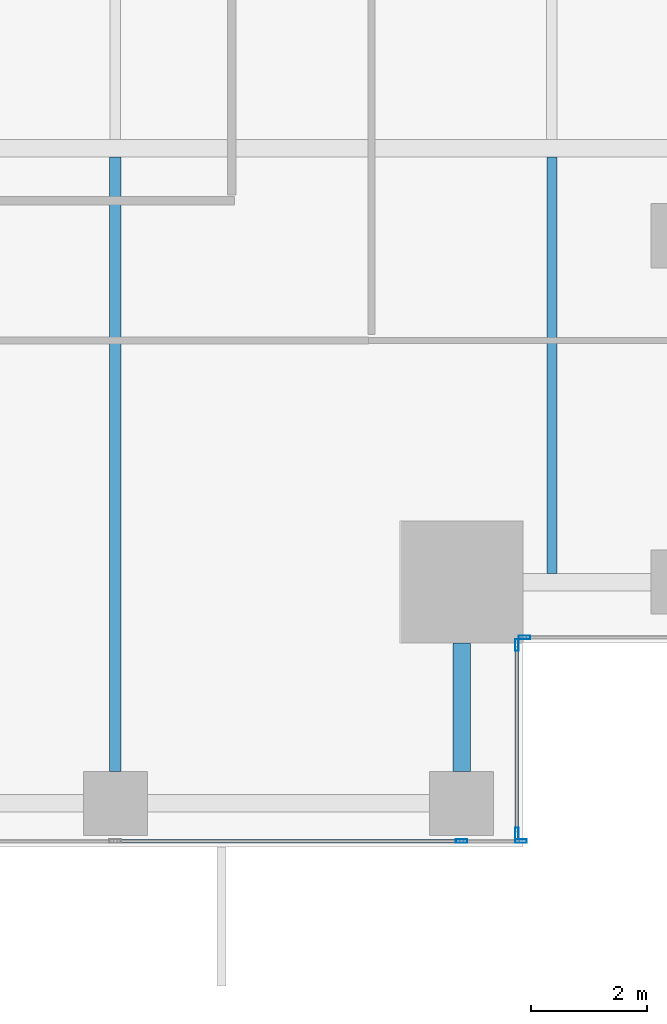
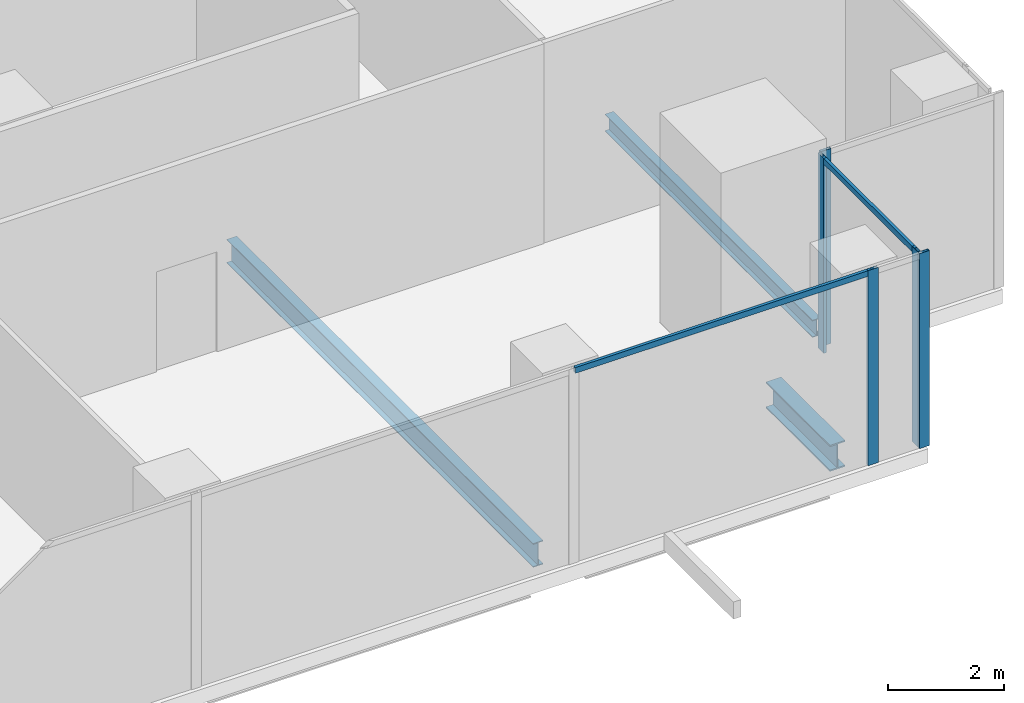
# One storey, part 10 of 35: 7 members, 3 beams, 3 elements without a shape of their own.
"""IFC4 building model written with IfcOpenShell, lengths in metres."""

from ifc_helpers import new_model, si_unit, direction, frame, origin, origin_2d, place, context, subcontext, project, spatial, hollow_rectangle, i_section, extrude, source, transform, mapped, material, material_profile, profile_set, type_object, element, aggregate, save


model = new_model("IFC4")

# Units and contexts
model_context = context("Model", 3, precision=1e-05, world=origin(), true_north=direction((0.0, 1.0)))
body_context = subcontext(model_context, "Body", "Model", "MODEL_VIEW")
ifc_project = project(units=[si_unit("LENGTHUNIT", "METRE"), si_unit("AREAUNIT", "SQUARE_METRE"), si_unit("VOLUMEUNIT", "CUBIC_METRE"), si_unit("PLANEANGLEUNIT", "RADIAN"), si_unit("MASSUNIT", "GRAM", prefix="KILO")], contexts=[model_context])

# Site, building, storey
site_placement = place(None, origin())
site = spatial("IfcSite", under=ifc_project, at=site_placement, CompositionType="ELEMENT")
building_placement = place(site_placement, origin())
building = spatial("IfcBuilding", under=site, at=building_placement, Name="Khomas Fold Tower", CompositionType="ELEMENT")
storey_placement = place(building_placement, frame((0.0, 0.0, 132.300048828125)))
storey = spatial("IfcBuildingStorey", under=building, at=storey_placement, Name="L28", CompositionType="ELEMENT", Elevation=132.300048828125)

# Beams
ifc_material_1 = material(Name="Steel S355", Category="steel")
ifc_material_profile_1 = material_profile(ifc_material_1, i_section(OverallWidth=0.169921875, OverallDepth=0.360107421875, WebThickness=0.008056640625, FlangeThickness=0.0126953125, at=origin_2d()), Name="IPE 360")
ifc_profile_set_1 = profile_set([ifc_material_profile_1], Name="Steel S355")
beam_type_1 = type_object("IfcBeamType", Name="IPE 360 beam JB2", PredefinedType="BEAM", material=ifc_profile_set_1)
shared_shape_1 = source(origin(), body_context, "Body", "SweptSolid", [
    extrude(i_section(OverallWidth=0.169921875, OverallDepth=0.360107421875, WebThickness=0.008056640625, FlangeThickness=0.0126953125, at=origin_2d()), origin(), (0.0, 0.0, 1.0), 7.150146484375),
])
beam_1_placement = place(storey_placement, frame((49.5, 6.199951171875, -0.47998046875), z_axis=(0.0, 1.0, 0.0), x_axis=(-1.0, 0.0, 0.0)))
element("IfcBeam", 1, at=beam_1_placement, inside=storey, type_object=beam_type_1, Name="JB2", PredefinedType="BEAM", context=body_context, shape_type="MappedRepresentation", body=[
    mapped(shared_shape_1, transform((0.0, 0.0, 0.0))),
])
ifc_material_2 = material(Name="Steel S355", Category="steel")
ifc_material_profile_2 = material_profile(ifc_material_2, i_section(OverallWidth=0.300048828125, OverallDepth=0.550048828125, WebThickness=0.014892578125, FlangeThickness=0.029052734375, at=origin_2d()), Name="HE 550 B")
ifc_profile_set_2 = profile_set([ifc_material_profile_2], Name="Steel S355")
beam_type_2 = type_object("IfcBeamType", Name="HE 550 B spandrel SB2", PredefinedType="SPANDREL", material=ifc_profile_set_2)
shared_shape_2 = source(origin(), body_context, "Body", "SweptSolid", [
    extrude(i_section(OverallWidth=0.300048828125, OverallDepth=0.550048828125, WebThickness=0.014892578125, FlangeThickness=0.029052734375, at=origin_2d()), origin(), (0.0, 0.0, 1.0), 2.199951171875),
])
beam_2_placement = place(storey_placement, frame((47.949951171875, 2.800048828125, -0.574951171875), z_axis=(0.0, 1.0, 0.0), x_axis=(-1.0, 0.0, 0.0)))
element("IfcBeam", 2, at=beam_2_placement, inside=storey, type_object=beam_type_2, Name="SB2", PredefinedType="SPANDREL", context=body_context, shape_type="MappedRepresentation", body=[
    mapped(shared_shape_2, transform((0.0, 0.0, 0.0))),
])
ifc_material_3 = material(Name="Steel S355", Category="steel")
ifc_material_profile_3 = material_profile(ifc_material_3, i_section(OverallWidth=0.199951171875, OverallDepth=0.5, WebThickness=0.01025390625, FlangeThickness=0.01611328125, at=origin_2d()), Name="IPE 500")
ifc_profile_set_3 = profile_set([ifc_material_profile_3], Name="Steel S355")
beam_type_3 = type_object("IfcBeamType", Name="IPE 500 beam JB5", PredefinedType="BEAM", material=ifc_profile_set_3)
shared_shape_3 = source(origin(), body_context, "Body", "SweptSolid", [
    extrude(i_section(OverallWidth=0.199951171875, OverallDepth=0.5, WebThickness=0.01025390625, FlangeThickness=0.01611328125, at=origin_2d()), origin(), (0.0, 0.0, 1.0), 10.550048828125),
])
beam_3_placement = place(storey_placement, frame((42.0, 2.800048828125, -0.550048828125), z_axis=(0.0, 1.0, 0.0), x_axis=(-1.0, 0.0, 0.0)))
element("IfcBeam", 3, at=beam_3_placement, inside=storey, type_object=beam_type_3, Name="JB5", PredefinedType="BEAM", context=body_context, shape_type="MappedRepresentation", body=[
    mapped(shared_shape_3, transform((0.0, 0.0, 0.0))),
])

# Curtain wall, member
ifc_material_4 = material(Name="Aluminium framed double glazing", Category="aluminium")
curtain_wall_type = type_object("IfcCurtainWallType", Name="SK-Unitised clear-glass wall, growing floors CW1", PredefinedType="NOTDEFINED", material=ifc_material_4)
curtain_wall_1_placement = place(storey_placement, origin())
curtain_wall_1 = element("IfcCurtainWall", 4, at=curtain_wall_1_placement, inside=storey, type_object=curtain_wall_type, Name="CW1 run L28 00-0", PredefinedType="NOTDEFINED")
ifc_material_5 = material(Name="Aluminium", Category="aluminium")
ifc_material_profile_4 = material_profile(ifc_material_5, hollow_rectangle(XDim=0.06005859375, YDim=0.1201171875, WallThickness=0.00390625, at=origin_2d()), Name="SK-Unitised clear-glass wall, growing floors transom CW1-T")
ifc_profile_set_4 = profile_set([ifc_material_profile_4], Name="Aluminium")
member_type_1 = type_object("IfcMemberType", Name="SK-Unitised clear-glass wall, growing floors transom CW1-T", PredefinedType="USERDEFINED", material=ifc_profile_set_4)
shared_shape_4 = source(origin(), body_context, "Body", "SweptSolid", [
    extrude(hollow_rectangle(XDim=0.06005859375, YDim=0.1201171875, WallThickness=0.00390625, at=origin_2d()), origin(), (0.0, 0.0, 1.0), 5.889892578125),
])
member_1_placement = place(storey_placement, frame((42.030029296875, 1.60009765625, 4.0400390625), z_axis=(1.0, 0.0, 0.0), x_axis=(0.0, 1.0, 0.0)))
member_1 = element("IfcMember", 5, at=member_1_placement, type_object=member_type_1, Name="CW1 transom 7", ObjectType="TRANSOM", PredefinedType="USERDEFINED", context=body_context, shape_type="MappedRepresentation", body=[
    mapped(shared_shape_4, transform((0.0, 0.0, 0.0))),
])

curtain_wall_2_placement = place(storey_placement, origin())
curtain_wall_2 = element("IfcCurtainWall", 6, at=curtain_wall_2_placement, inside=storey, type_object=curtain_wall_type, Name="CW1 corner return L28 01", PredefinedType="NOTDEFINED")
shared_shape_5 = source(origin(), body_context, "Body", "SweptSolid", [
    extrude(hollow_rectangle(XDim=0.06005859375, YDim=0.1201171875, WallThickness=0.00390625, at=origin_2d()), origin(), (0.0, 0.0, 1.0), 3.179931640625),
])
member_2_placement = place(storey_placement, frame((48.89990234375, 1.760009765625, 4.0400390625), z_axis=(0.0, 1.0, 0.0), x_axis=(-1.0, 0.0, 0.0)))
member_2 = element("IfcMember", 7, at=member_2_placement, type_object=member_type_1, Name="CW1 transom 1", ObjectType="TRANSOM", PredefinedType="USERDEFINED", context=body_context, shape_type="MappedRepresentation", body=[
    mapped(shared_shape_5, transform((0.0, 0.0, 0.0))),
])

# Member
ifc_material_6 = material(Name="Aluminium", Category="aluminium")
ifc_material_profile_5 = material_profile(ifc_material_6, hollow_rectangle(XDim=0.06005859375, YDim=0.199951171875, WallThickness=0.00390625, at=origin_2d()), Name="SK-Unitised clear-glass wall, growing floors mullion CW1-M")
ifc_profile_set_5 = profile_set([ifc_material_profile_5], Name="Aluminium")
member_type_2 = type_object("IfcMemberType", Name="SK-Unitised clear-glass wall, growing floors mullion CW1-M", PredefinedType="MULLION", material=ifc_profile_set_5)
shared_shape_6 = source(origin(), body_context, "Body", "SweptSolid", [
    extrude(hollow_rectangle(XDim=0.06005859375, YDim=0.199951171875, WallThickness=0.00390625, at=origin_2d()), origin(), (0.0, 0.0, 1.0), 4.099853515625),
])
member_3_placement = place(storey_placement, frame((47.949951171875, 1.60009765625, 0.0), z_axis=(0.0, 0.0, 1.0), x_axis=(0.0, 1.0, 0.0)))
member_3 = element("IfcMember", 8, at=member_3_placement, type_object=member_type_2, Name="CW1 mullion 8", PredefinedType="MULLION", context=body_context, shape_type="MappedRepresentation", body=[
    mapped(shared_shape_6, transform((0.0, 0.0, 0.0))),
])

member_4_placement = place(storey_placement, frame((48.969970703125, 1.60009765625, 0.0), z_axis=(0.0, 0.0, 1.0), x_axis=(0.0, 1.0, 0.0)))
member_4 = element("IfcMember", 9, at=member_4_placement, type_object=member_type_2, Name="CW1 mullion 9", PredefinedType="MULLION", context=body_context, shape_type="MappedRepresentation", body=[
    mapped(shared_shape_6, transform((0.0, 0.0, 0.0))),
])

aggregate(curtain_wall_1, [member_3, member_4, member_1])

member_5_placement = place(storey_placement, frame((48.89990234375, 1.72998046875, 0.0), z_axis=(0.0, 0.0, 1.0), x_axis=(-1.0, 0.0, 0.0)))
member_5 = element("IfcMember", 10, at=member_5_placement, type_object=member_type_2, Name="CW1 mullion 1", PredefinedType="MULLION", context=body_context, shape_type="MappedRepresentation", body=[
    mapped(shared_shape_6, transform((0.0, 0.0, 0.0))),
])

member_6_placement = place(storey_placement, frame((48.89990234375, 4.969970703125, 0.0), z_axis=(0.0, 0.0, 1.0), x_axis=(-1.0, 0.0, 0.0)))
member_6 = element("IfcMember", 11, at=member_6_placement, type_object=member_type_2, Name="CW1 mullion 2", PredefinedType="MULLION", context=body_context, shape_type="MappedRepresentation", body=[
    mapped(shared_shape_6, transform((0.0, 0.0, 0.0))),
])

aggregate(curtain_wall_2, [member_5, member_6, member_2])

# Curtain wall, member
curtain_wall_3_placement = place(storey_placement, origin())
curtain_wall_3 = element("IfcCurtainWall", 12, at=curtain_wall_3_placement, inside=storey, type_object=curtain_wall_type, Name="CW1 corner return L28 02", PredefinedType="NOTDEFINED")
member_7_placement = place(storey_placement, frame((49.030029296875, 5.10009765625, 0.0), z_axis=(0.0, 0.0, 1.0), x_axis=(0.0, 1.0, 0.0)))
member_7 = element("IfcMember", 13, at=member_7_placement, type_object=member_type_2, Name="CW1 mullion 1", PredefinedType="MULLION", context=body_context, shape_type="MappedRepresentation", body=[
    mapped(shared_shape_6, transform((0.0, 0.0, 0.0))),
])
aggregate(curtain_wall_3, [member_7])

save(model, "model.ifc")
